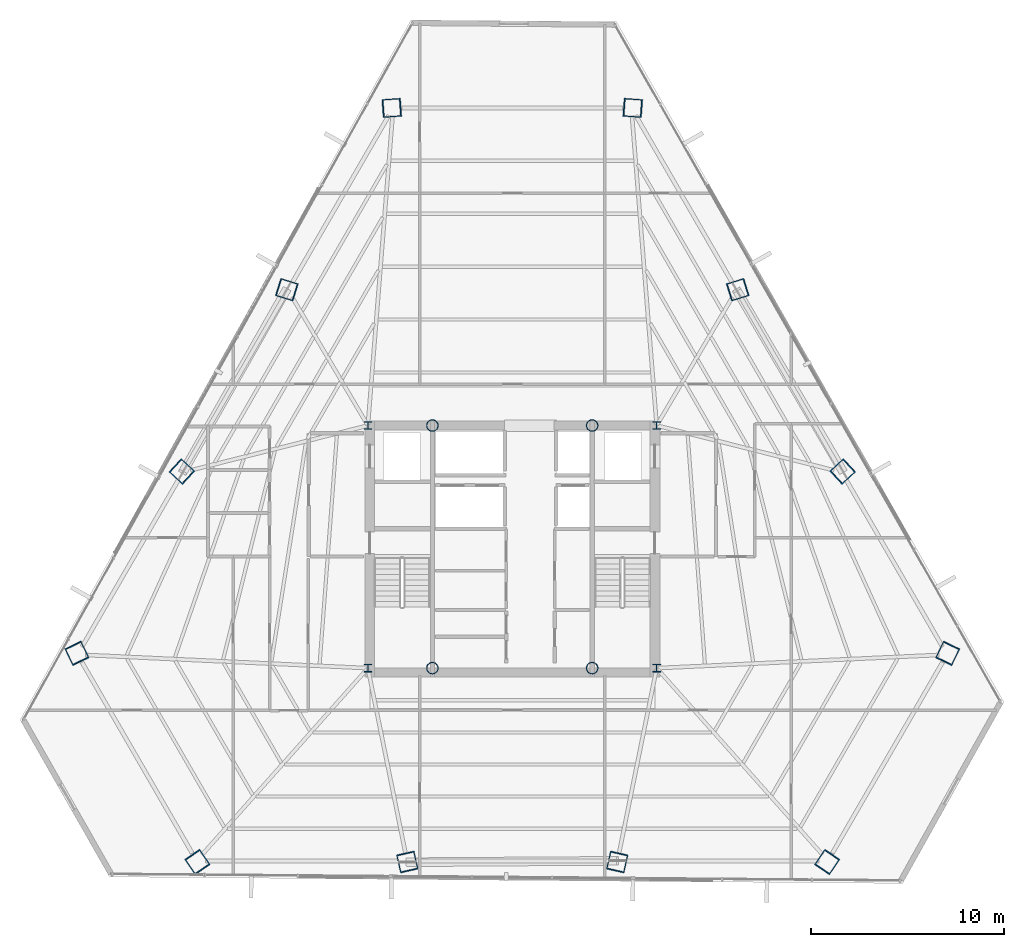
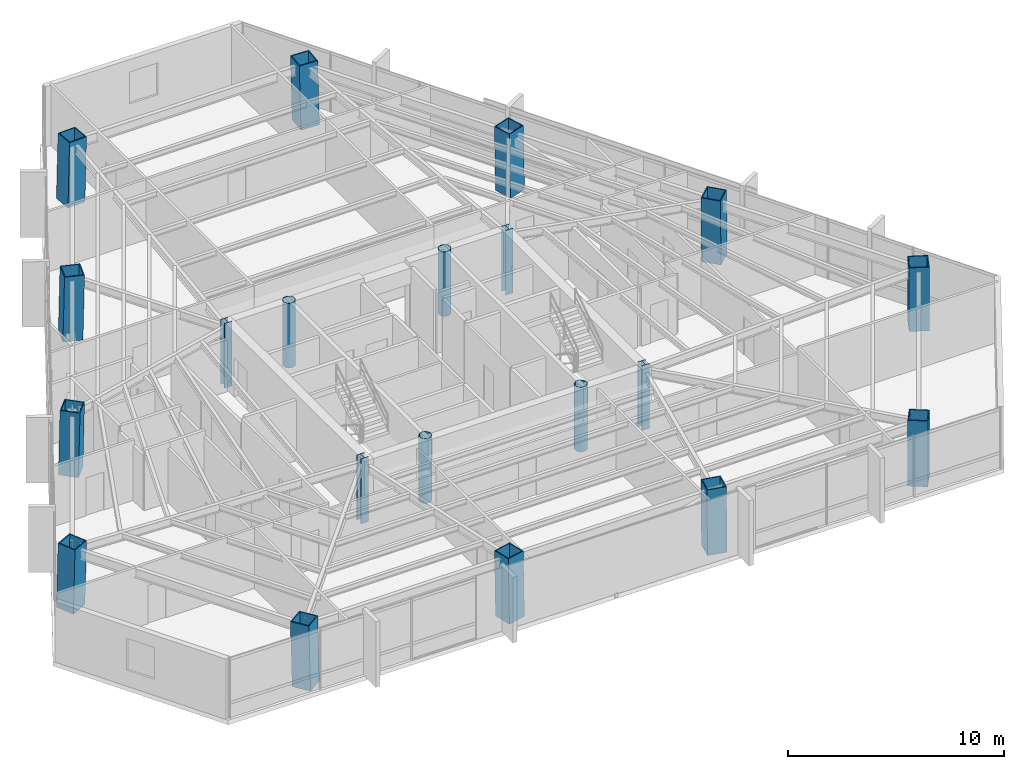
# One storey, part 1 of 38: 20 columns.
"""IFC4 building model written with IfcOpenShell, lengths in metres."""

from ifc_helpers import new_model, si_unit, direction, frame, origin, origin_2d, place, context, subcontext, project, spatial, hollow_rectangle, hollow_circle, i_section, extrude, source, transform, mapped, material, material_profile, profile_set, type_object, type_shapes, element, save


model = new_model("IFC4")

# Units and contexts
model_context = context("Model", 3, precision=1e-05, world=origin(), true_north=direction((0.0, 1.0)))
body_context = subcontext(model_context, "Body", "Model", "MODEL_VIEW")
ifc_project = project(units=[si_unit("LENGTHUNIT", "METRE"), si_unit("AREAUNIT", "SQUARE_METRE"), si_unit("VOLUMEUNIT", "CUBIC_METRE"), si_unit("PLANEANGLEUNIT", "RADIAN"), si_unit("MASSUNIT", "GRAM", prefix="KILO")], contexts=[model_context])

# Site, building, storey
site_placement = place(None, origin())
site = spatial("IfcSite", under=ifc_project, at=site_placement, CompositionType="ELEMENT")
building_placement = place(site_placement, origin())
building = spatial("IfcBuilding", under=site, at=building_placement, Name="Caelisora Broadcast Tower", CompositionType="ELEMENT")
storey_placement = place(building_placement, frame((0.0, 0.0, 154.85009765625)))
storey = spatial("IfcBuildingStorey", under=building, at=storey_placement, Name="L40", CompositionType="ELEMENT", Elevation=154.85009765625)

# Columns
ifc_material_1 = material(Name="Steel Grade 350 (AS/NZS 3679.2)", Category="steel")
ifc_material_profile_1 = material_profile(ifc_material_1, i_section(OverallWidth=0.39990234375, OverallDepth=0.39990234375, WebThickness=0.02001953125, FlangeThickness=0.031982421875, at=origin_2d()), Name="Steel Grade 350 (AS/NZS 3679.2)")
ifc_profile_set_1 = profile_set([ifc_material_profile_1], Name="Steel Grade 350 (AS/NZS 3679.2)")
column_type_1 = type_object("IfcColumnType", Name="CC02", PredefinedType="COLUMN", material=ifc_profile_set_1)
shared_shape_1 = source(origin(), body_context, "Body", "SweptSolid", [
    extrude(i_section(OverallWidth=0.39990234375, OverallDepth=0.39990234375, WebThickness=0.02001953125, FlangeThickness=0.031982421875, at=origin_2d()), origin(), (0.0, 0.0, 1.0), 3.64990234375),
])
type_shapes(column_type_1, [shared_shape_1])
for number, where, z_axis, x_axis, name in (
    (1, (30.5, 17.39990234375, 0.0), (0.0, 0.0, 1.0), (1.0, 0.0, 0.0), "L40 column CC02"),
    (2, (45.5, 17.39990234375, 0.0), (0.0, 0.0, 1.0), (1.0, 0.0, 0.0), "L40 column CC02"),
    (3, (45.5, 30.0, 0.0), (0.0, 0.0, 1.0), (1.0, 0.0, 0.0), "L40 column CC02"),
    (4, (30.5, 30.0, 0.0), (0.0, 0.0, 1.0), (1.0, 0.0, 0.0), "L40 column CC02"),
):
    element("IfcColumn", number, at=place(storey_placement, frame(where, z_axis=z_axis, x_axis=x_axis)), inside=storey, type_object=column_type_1, Name=name, PredefinedType="COLUMN", context=body_context, shape_type="MappedRepresentation", body=[
        mapped(shared_shape_1, transform((0.0, 0.0, 0.0), scale=1.0)),
    ])
ifc_material_2 = material(Name="Steel Grade 350 L15 (AS/NZS 3678)", Category="steel")
ifc_material_profile_2 = material_profile(ifc_material_2, hollow_circle(Radius=0.304931640625, WallThickness=0.02490234375, at=origin_2d()), Name="Steel Grade 350 L15 (AS/NZS 3678)")
ifc_profile_set_2 = profile_set([ifc_material_profile_2], Name="Steel Grade 350 L15 (AS/NZS 3678)")
column_type_2 = type_object("IfcColumnType", Name="CC06", PredefinedType="COLUMN", material=ifc_profile_set_2)
shared_shape_2 = source(origin(), body_context, "Body", "SweptSolid", [
    extrude(hollow_circle(Radius=0.304931640625, WallThickness=0.02490234375, at=origin_2d()), origin(), (0.0, 0.0, 1.0), 3.64990234375),
])
type_shapes(column_type_2, [shared_shape_2])
for number, where, z_axis, x_axis, name in (
    (5, (33.85009765625, 17.39990234375, 0.0), (0.0, 0.0, 1.0), (1.0, 0.0, 0.0), "L40 column CC06"),
    (6, (42.14990234375, 17.39990234375, 0.0), (0.0, 0.0, 1.0), (1.0, 0.0, 0.0), "L40 column CC06"),
    (7, (33.85009765625, 30.0, 0.0), (0.0, 0.0, 1.0), (1.0, 0.0, 0.0), "L40 column CC06"),
    (8, (42.14990234375, 30.0, 0.0), (0.0, 0.0, 1.0), (1.0, 0.0, 0.0), "L40 column CC06"),
):
    element("IfcColumn", number, at=place(storey_placement, frame(where, z_axis=z_axis, x_axis=x_axis)), inside=storey, type_object=column_type_2, Name=name, PredefinedType="COLUMN", context=body_context, shape_type="MappedRepresentation", body=[
        mapped(shared_shape_2, transform((0.0, 0.0, 0.0), scale=1.0)),
    ])
ifc_material_profile_3 = material_profile(ifc_material_2, hollow_rectangle(XDim=0.949951171875, YDim=0.949951171875, WallThickness=0.050048828125, at=origin_2d()), Name="Steel Grade 350 L15 (AS/NZS 3678)")
ifc_profile_set_3 = profile_set([ifc_material_profile_3], Name="Steel Grade 350 L15 (AS/NZS 3678)")
column_type_3 = type_object("IfcColumnType", Name="MC04", PredefinedType="COLUMN", material=ifc_profile_set_3)
shared_shape_3 = source(origin(), body_context, "Body", "SweptSolid", [
    extrude(hollow_rectangle(XDim=0.949951171875, YDim=0.949951171875, WallThickness=0.050048828125, at=origin_2d()), origin(), (0.0, 0.0, 1.0), 3.65087890625),
])
for number, where, z_axis, x_axis, name in (
    (9, (44.271728515625, 46.49609375, 0.0), (-0.023872756997, 0.001738632162, 0.999713493273), (-0.07263675076, -0.997358462359, 0.0), "L40 column MC04"),
    (10, (31.728271484375, 46.49609375, 0.0), (0.023872756997, 0.001738632162, 0.999713493273), (-0.07263675076, 0.997358462359, 0.0), "L40 column MC04"),
    (11, (15.382080078125, 18.18359375, 0.0), (0.010431780378, -0.021599135014, 0.999712286273), (0.900476348161, 0.434904985489, 0.0), "L40 column MC04"),
    (12, (21.65380859375, 7.320556640625, 0.0), (-0.013440967269, 0.019793663242, 0.999713734673), (-0.827290216258, -0.561774775229, 0.0), "L40 column MC04"),
    (13, (54.34619140625, 7.320556640625, 0.0), (0.013440967269, 0.019793663242, 0.999713734673), (-0.827290216258, 0.561774775229, 0.0), "L40 column MC04"),
    (14, (60.617919921875, 18.18359375, 0.0), (-0.010431780378, -0.021599135014, 0.999712286273), (0.900476348161, -0.434904985489, 0.0), "L40 column MC04"),
):
    element("IfcColumn", number, at=place(storey_placement, frame(where, z_axis=z_axis, x_axis=x_axis)), inside=storey, type_object=column_type_3, Name=name, PredefinedType="COLUMN", context=body_context, shape_type="MappedRepresentation", body=[
        mapped(shared_shape_3, transform((0.0, 0.0, 0.0), scale=1.0)),
    ])
shared_shape_4 = source(origin(), body_context, "Body", "SweptSolid", [
    extrude(hollow_rectangle(XDim=0.949951171875, YDim=0.949951171875, WallThickness=0.050048828125, at=origin_2d()), origin(), (0.0, 0.0, 1.0), 3.650634765625),
])
type_shapes(column_type_3, [shared_shape_3, shared_shape_4])
for number, where, z_axis, x_axis, name in (
    (15, (26.279541015625, 37.05859375, 0.0), (0.019393993486, -0.006018825565, 0.999793802119), (0.296399214872, 0.955064136811, 0.0), "L40 column MC04"),
    (16, (20.830810546875, 27.62109375, 0.0), (0.014913313399, -0.013776424037, 0.999793880369), (0.678553674548, 0.734550822447, 0.0), "L40 column MC04"),
    (17, (32.55126953125, 7.320556640625, 0.0), (-0.004480682206, 0.019795252729, 0.999794014513), (-0.975326687046, -0.220766513622, 0.0), "L40 column MC04"),
    (18, (43.44873046875, 7.320556640625, 0.0), (0.004480682206, 0.019795252729, 0.999794014513), (-0.975326687046, 0.220766513622, 0.0), "L40 column MC04"),
    (19, (55.169189453125, 27.62109375, 0.0), (-0.014913313399, -0.013776424037, 0.999793880369), (0.678553674548, -0.734550822447, 0.0), "L40 column MC04"),
    (20, (49.720458984375, 37.05859375, 0.0), (-0.019393993486, -0.006018825565, 0.999793802119), (0.296399214872, -0.955064136811, 0.0), "L40 column MC04"),
):
    element("IfcColumn", number, at=place(storey_placement, frame(where, z_axis=z_axis, x_axis=x_axis)), inside=storey, type_object=column_type_3, Name=name, PredefinedType="COLUMN", context=body_context, shape_type="MappedRepresentation", body=[
        mapped(shared_shape_4, transform((0.0, 0.0, 0.0), scale=1.0)),
    ])

save(model, "model.ifc")
